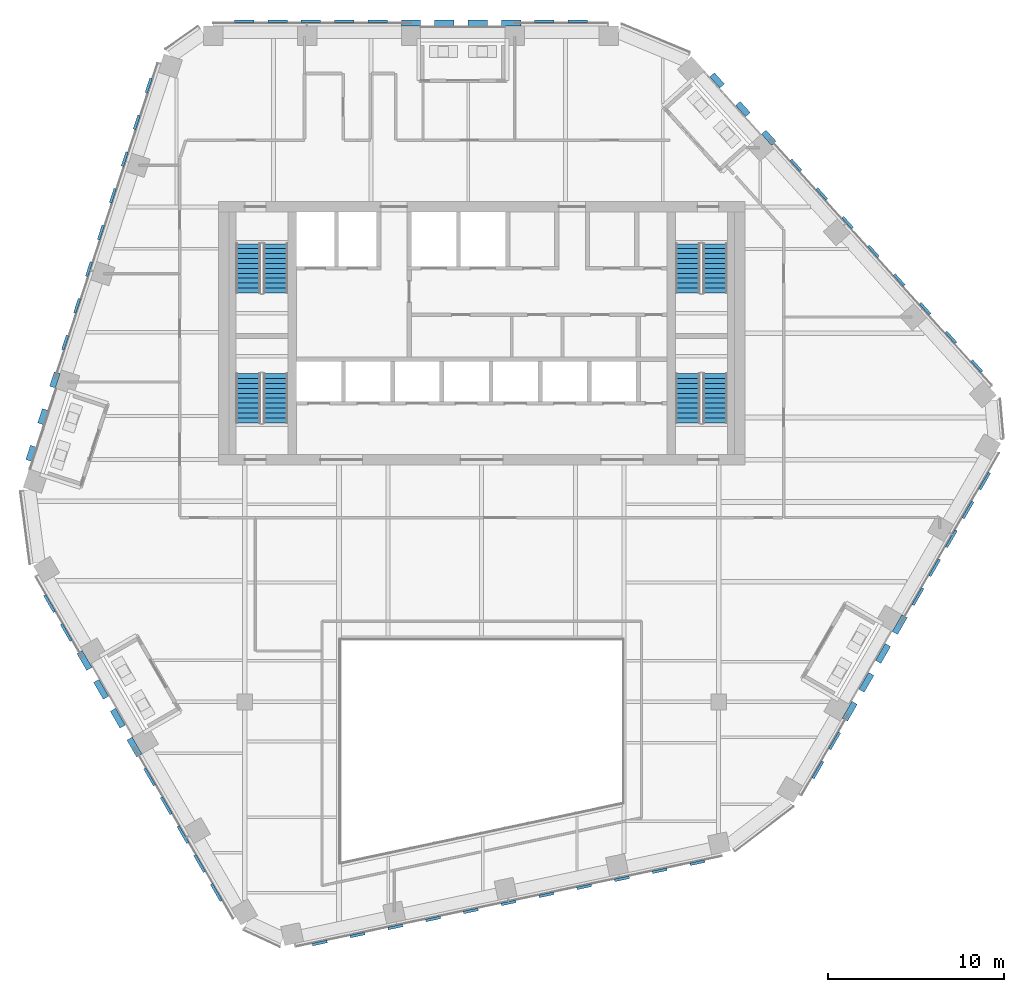
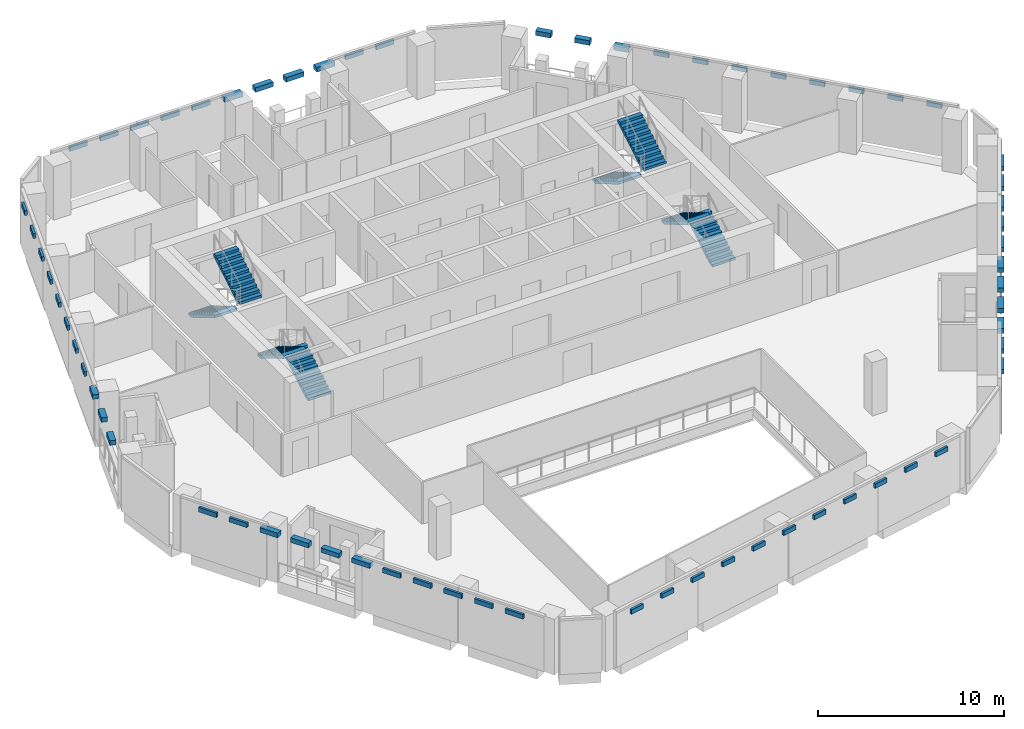
# One storey, part 18 of 24: 66 discrete accessories, 8 stair flights, 4 elements without a shape of their own.
"""IFC4 building model written with IfcOpenShell, lengths in metres."""

from ifc_helpers import new_model, si_unit, direction, frame, origin, origin_2d, place, context, subcontext, project, spatial, polyline, rectangle, outline, extrude, material, type_object, element, aggregate, save


model = new_model("IFC4")

# Units and contexts
model_context = context("Model", 3, precision=1e-05, world=origin(), true_north=direction((0.0, 1.0)))
body_context = subcontext(model_context, "Body", "Model", "MODEL_VIEW")
ifc_project = project(units=[si_unit("LENGTHUNIT", "METRE"), si_unit("AREAUNIT", "SQUARE_METRE"), si_unit("VOLUMEUNIT", "CUBIC_METRE"), si_unit("PLANEANGLEUNIT", "RADIAN"), si_unit("MASSUNIT", "GRAM", prefix="KILO")], contexts=[model_context])

# Site, building, storey
site_placement = place(None, origin())
site = spatial("IfcSite", under=ifc_project, at=site_placement, CompositionType="ELEMENT")
building_placement = place(site_placement, origin())
building = spatial("IfcBuilding", under=site, at=building_placement, Name="Isthmus Gate Tower", CompositionType="ELEMENT")
storey_placement = place(building_placement, frame((0.0, 0.0, 234.550048828125)))
storey = spatial("IfcBuildingStorey", under=building, at=storey_placement, Name="L59", CompositionType="ELEMENT", Elevation=234.550048828125)

# Stair, stair flights
ifc_material_1 = material(Name="Concrete f'c 40 MPa", Category="concrete")
stair_type = type_object("IfcStairType", Name="CORE STAIR 22 RISERS", PredefinedType="HALF_TURN_STAIR", material=ifc_material_1)
stair_1_placement = place(storey_placement, origin())
stair_1 = element("IfcStair", 1, at=stair_1_placement, inside=storey, type_object=stair_type, Name="L59 Exit Stair 1", PredefinedType="HALF_TURN_STAIR")
ifc_material_2 = material(Name="Concrete f'c 40 MPa", Category="concrete")
stair_flight_type = type_object("IfcStairFlightType", Name="STAIR FLIGHT RC 1400", PredefinedType="STRAIGHT", material=ifc_material_2)
stair_flight_1_placement = place(storey_placement, frame((-13.300048828125, 12.60009765625, 0.0), z_axis=(0.0, 0.0, 1.0), x_axis=(0.0, -1.0, 0.0)))
stair_flight_1 = element("IfcStairFlight", 2, at=stair_flight_1_placement, type_object=stair_flight_type, Name="ST1 flight 1", NumberOfRisers=11, NumberOfTreads=10, PredefinedType="STRAIGHT", RiserHeight=0.165909091, TreadLength=0.28, context=body_context, shape_type="SweptSolid", body=[
    extrude(outline(polyline([(0.0, 0.0), (0.0, 0.166015625), (0.280029296875, 0.166015625), (0.280029296875, 0.331787109375), (0.56005859375, 0.331787109375), (0.56005859375, 0.497802734375), (0.840087890625, 0.497802734375), (0.840087890625, 0.66357421875), (1.1201171875, 0.66357421875), (1.1201171875, 0.82958984375), (1.39990234375, 0.82958984375), (1.39990234375, 0.995361328125), (1.679931640625, 0.995361328125), (1.679931640625, 1.161376953125), (1.9599609375, 1.161376953125), (1.9599609375, 1.327392578125), (2.239990234375, 1.327392578125), (2.239990234375, 1.4931640625), (2.52001953125, 1.4931640625), (2.52001953125, 1.6591796875), (2.800048828125, 1.6591796875), (2.800048828125, 1.824951171875), (2.800048828125, 1.48486328125), (0.2939453125, 0.0), (0.0, 0.0)])), frame((0.0, 0.699951171875, 0.0), z_axis=(0.0, -1.0, 0.0), x_axis=(1.0, 0.0, 0.0)), (0.0, 0.0, 1.0), 1.39990234375),
])
stair_flight_2_placement = place(storey_placement, frame((-11.75, 9.800048828125, 1.824951171875), z_axis=(0.0, 0.0, 1.0), x_axis=(0.0, 1.0, 0.0)))
stair_flight_2 = element("IfcStairFlight", 3, at=stair_flight_2_placement, type_object=stair_flight_type, Name="ST1 flight 2", NumberOfRisers=11, NumberOfTreads=10, PredefinedType="STRAIGHT", RiserHeight=0.165909091, TreadLength=0.28, context=body_context, shape_type="SweptSolid", body=[
    extrude(outline(polyline([(0.0, 0.0), (0.0, 0.166015625), (0.280029296875, 0.166015625), (0.280029296875, 0.331787109375), (0.56005859375, 0.331787109375), (0.56005859375, 0.497802734375), (0.840087890625, 0.497802734375), (0.840087890625, 0.66357421875), (1.1201171875, 0.66357421875), (1.1201171875, 0.82958984375), (1.39990234375, 0.82958984375), (1.39990234375, 0.995361328125), (1.679931640625, 0.995361328125), (1.679931640625, 1.161376953125), (1.9599609375, 1.161376953125), (1.9599609375, 1.327392578125), (2.239990234375, 1.327392578125), (2.239990234375, 1.4931640625), (2.52001953125, 1.4931640625), (2.52001953125, 1.6591796875), (2.800048828125, 1.6591796875), (2.800048828125, 1.824951171875), (2.800048828125, 1.48486328125), (0.2939453125, 0.0), (0.0, 0.0)])), frame((0.0, 0.699951171875, 0.0), z_axis=(0.0, -1.0, 0.0), x_axis=(1.0, 0.0, 0.0)), (0.0, 0.0, 1.0), 1.39990234375),
])
aggregate(stair_1, [stair_flight_1, stair_flight_2])

stair_2_placement = place(storey_placement, origin())
stair_2 = element("IfcStair", 4, at=stair_2_placement, inside=storey, type_object=stair_type, Name="L59 Exit Stair 2", PredefinedType="HALF_TURN_STAIR")
stair_flight_3_placement = place(storey_placement, frame((11.75, 12.60009765625, 0.0), z_axis=(0.0, 0.0, 1.0), x_axis=(0.0, -1.0, 0.0)))
stair_flight_3 = element("IfcStairFlight", 5, at=stair_flight_3_placement, type_object=stair_flight_type, Name="ST2 flight 1", NumberOfRisers=11, NumberOfTreads=10, PredefinedType="STRAIGHT", RiserHeight=0.165909091, TreadLength=0.28, context=body_context, shape_type="SweptSolid", body=[
    extrude(outline(polyline([(0.0, 0.0), (0.0, 0.166015625), (0.280029296875, 0.166015625), (0.280029296875, 0.331787109375), (0.56005859375, 0.331787109375), (0.56005859375, 0.497802734375), (0.840087890625, 0.497802734375), (0.840087890625, 0.66357421875), (1.1201171875, 0.66357421875), (1.1201171875, 0.82958984375), (1.39990234375, 0.82958984375), (1.39990234375, 0.995361328125), (1.679931640625, 0.995361328125), (1.679931640625, 1.161376953125), (1.9599609375, 1.161376953125), (1.9599609375, 1.327392578125), (2.239990234375, 1.327392578125), (2.239990234375, 1.4931640625), (2.52001953125, 1.4931640625), (2.52001953125, 1.6591796875), (2.800048828125, 1.6591796875), (2.800048828125, 1.824951171875), (2.800048828125, 1.48486328125), (0.2939453125, 0.0), (0.0, 0.0)])), frame((0.0, 0.699951171875, 0.0), z_axis=(0.0, -1.0, 0.0), x_axis=(1.0, 0.0, 0.0)), (0.0, 0.0, 1.0), 1.39990234375),
])
stair_flight_4_placement = place(storey_placement, frame((13.300048828125, 9.800048828125, 1.824951171875), z_axis=(0.0, 0.0, 1.0), x_axis=(0.0, 1.0, 0.0)))
stair_flight_4 = element("IfcStairFlight", 6, at=stair_flight_4_placement, type_object=stair_flight_type, Name="ST2 flight 2", NumberOfRisers=11, NumberOfTreads=10, PredefinedType="STRAIGHT", RiserHeight=0.165909091, TreadLength=0.28, context=body_context, shape_type="SweptSolid", body=[
    extrude(outline(polyline([(0.0, 0.0), (0.0, 0.166015625), (0.280029296875, 0.166015625), (0.280029296875, 0.331787109375), (0.56005859375, 0.331787109375), (0.56005859375, 0.497802734375), (0.840087890625, 0.497802734375), (0.840087890625, 0.66357421875), (1.1201171875, 0.66357421875), (1.1201171875, 0.82958984375), (1.39990234375, 0.82958984375), (1.39990234375, 0.995361328125), (1.679931640625, 0.995361328125), (1.679931640625, 1.161376953125), (1.9599609375, 1.161376953125), (1.9599609375, 1.327392578125), (2.239990234375, 1.327392578125), (2.239990234375, 1.4931640625), (2.52001953125, 1.4931640625), (2.52001953125, 1.6591796875), (2.800048828125, 1.6591796875), (2.800048828125, 1.824951171875), (2.800048828125, 1.48486328125), (0.2939453125, 0.0), (0.0, 0.0)])), frame((0.0, 0.699951171875, 0.0), z_axis=(0.0, -1.0, 0.0), x_axis=(1.0, 0.0, 0.0)), (0.0, 0.0, 1.0), 1.39990234375),
])
aggregate(stair_2, [stair_flight_3, stair_flight_4])

stair_3_placement = place(storey_placement, origin())
stair_3 = element("IfcStair", 7, at=stair_3_placement, inside=storey, type_object=stair_type, Name="L59 Exit Stair 7", PredefinedType="HALF_TURN_STAIR")
stair_flight_5_placement = place(storey_placement, frame((-11.75, 2.39990234375, 0.0), z_axis=(0.0, 0.0, 1.0), x_axis=(0.0, 1.0, 0.0)))
stair_flight_5 = element("IfcStairFlight", 8, at=stair_flight_5_placement, type_object=stair_flight_type, Name="ST7 flight 1", NumberOfRisers=11, NumberOfTreads=10, PredefinedType="STRAIGHT", RiserHeight=0.165909091, TreadLength=0.28, context=body_context, shape_type="SweptSolid", body=[
    extrude(outline(polyline([(0.0, 0.0), (0.0, 0.166015625), (0.280029296875, 0.166015625), (0.280029296875, 0.331787109375), (0.56005859375, 0.331787109375), (0.56005859375, 0.497802734375), (0.840087890625, 0.497802734375), (0.840087890625, 0.66357421875), (1.1201171875, 0.66357421875), (1.1201171875, 0.82958984375), (1.39990234375, 0.82958984375), (1.39990234375, 0.995361328125), (1.679931640625, 0.995361328125), (1.679931640625, 1.161376953125), (1.9599609375, 1.161376953125), (1.9599609375, 1.327392578125), (2.239990234375, 1.327392578125), (2.239990234375, 1.4931640625), (2.52001953125, 1.4931640625), (2.52001953125, 1.6591796875), (2.800048828125, 1.6591796875), (2.800048828125, 1.824951171875), (2.800048828125, 1.48486328125), (0.2939453125, 0.0), (0.0, 0.0)])), frame((0.0, 0.699951171875, 0.0), z_axis=(0.0, -1.0, 0.0), x_axis=(1.0, 0.0, 0.0)), (0.0, 0.0, 1.0), 1.39990234375),
])
stair_flight_6_placement = place(storey_placement, frame((-13.300048828125, 5.199951171875, 1.824951171875), z_axis=(0.0, 0.0, 1.0), x_axis=(0.0, -1.0, 0.0)))
stair_flight_6 = element("IfcStairFlight", 9, at=stair_flight_6_placement, type_object=stair_flight_type, Name="ST7 flight 2", NumberOfRisers=11, NumberOfTreads=10, PredefinedType="STRAIGHT", RiserHeight=0.165909091, TreadLength=0.28, context=body_context, shape_type="SweptSolid", body=[
    extrude(outline(polyline([(0.0, 0.0), (0.0, 0.166015625), (0.280029296875, 0.166015625), (0.280029296875, 0.331787109375), (0.56005859375, 0.331787109375), (0.56005859375, 0.497802734375), (0.840087890625, 0.497802734375), (0.840087890625, 0.66357421875), (1.1201171875, 0.66357421875), (1.1201171875, 0.82958984375), (1.39990234375, 0.82958984375), (1.39990234375, 0.995361328125), (1.679931640625, 0.995361328125), (1.679931640625, 1.161376953125), (1.9599609375, 1.161376953125), (1.9599609375, 1.327392578125), (2.239990234375, 1.327392578125), (2.239990234375, 1.4931640625), (2.52001953125, 1.4931640625), (2.52001953125, 1.6591796875), (2.800048828125, 1.6591796875), (2.800048828125, 1.824951171875), (2.800048828125, 1.48486328125), (0.2939453125, 0.0), (0.0, 0.0)])), frame((0.0, 0.699951171875, 0.0), z_axis=(0.0, -1.0, 0.0), x_axis=(1.0, 0.0, 0.0)), (0.0, 0.0, 1.0), 1.39990234375),
])
aggregate(stair_3, [stair_flight_5, stair_flight_6])

stair_4_placement = place(storey_placement, origin())
stair_4 = element("IfcStair", 10, at=stair_4_placement, inside=storey, type_object=stair_type, Name="L59 Exit Stair 8", PredefinedType="HALF_TURN_STAIR")
stair_flight_7_placement = place(storey_placement, frame((13.300048828125, 2.39990234375, 0.0), z_axis=(0.0, 0.0, 1.0), x_axis=(0.0, 1.0, 0.0)))
stair_flight_7 = element("IfcStairFlight", 11, at=stair_flight_7_placement, type_object=stair_flight_type, Name="ST8 flight 1", NumberOfRisers=11, NumberOfTreads=10, PredefinedType="STRAIGHT", RiserHeight=0.165909091, TreadLength=0.28, context=body_context, shape_type="SweptSolid", body=[
    extrude(outline(polyline([(0.0, 0.0), (0.0, 0.166015625), (0.280029296875, 0.166015625), (0.280029296875, 0.331787109375), (0.56005859375, 0.331787109375), (0.56005859375, 0.497802734375), (0.840087890625, 0.497802734375), (0.840087890625, 0.66357421875), (1.1201171875, 0.66357421875), (1.1201171875, 0.82958984375), (1.39990234375, 0.82958984375), (1.39990234375, 0.995361328125), (1.679931640625, 0.995361328125), (1.679931640625, 1.161376953125), (1.9599609375, 1.161376953125), (1.9599609375, 1.327392578125), (2.239990234375, 1.327392578125), (2.239990234375, 1.4931640625), (2.52001953125, 1.4931640625), (2.52001953125, 1.6591796875), (2.800048828125, 1.6591796875), (2.800048828125, 1.824951171875), (2.800048828125, 1.48486328125), (0.2939453125, 0.0), (0.0, 0.0)])), frame((0.0, 0.699951171875, 0.0), z_axis=(0.0, -1.0, 0.0), x_axis=(1.0, 0.0, 0.0)), (0.0, 0.0, 1.0), 1.39990234375),
])
stair_flight_8_placement = place(storey_placement, frame((11.75, 5.199951171875, 1.824951171875), z_axis=(0.0, 0.0, 1.0), x_axis=(0.0, -1.0, 0.0)))
stair_flight_8 = element("IfcStairFlight", 12, at=stair_flight_8_placement, type_object=stair_flight_type, Name="ST8 flight 2", NumberOfRisers=11, NumberOfTreads=10, PredefinedType="STRAIGHT", RiserHeight=0.165909091, TreadLength=0.28, context=body_context, shape_type="SweptSolid", body=[
    extrude(outline(polyline([(0.0, 0.0), (0.0, 0.166015625), (0.280029296875, 0.166015625), (0.280029296875, 0.331787109375), (0.56005859375, 0.331787109375), (0.56005859375, 0.497802734375), (0.840087890625, 0.497802734375), (0.840087890625, 0.66357421875), (1.1201171875, 0.66357421875), (1.1201171875, 0.82958984375), (1.39990234375, 0.82958984375), (1.39990234375, 0.995361328125), (1.679931640625, 0.995361328125), (1.679931640625, 1.161376953125), (1.9599609375, 1.161376953125), (1.9599609375, 1.327392578125), (2.239990234375, 1.327392578125), (2.239990234375, 1.4931640625), (2.52001953125, 1.4931640625), (2.52001953125, 1.6591796875), (2.800048828125, 1.6591796875), (2.800048828125, 1.824951171875), (2.800048828125, 1.48486328125), (0.2939453125, 0.0), (0.0, 0.0)])), frame((0.0, 0.699951171875, 0.0), z_axis=(0.0, -1.0, 0.0), x_axis=(1.0, 0.0, 0.0)), (0.0, 0.0, 1.0), 1.39990234375),
])
aggregate(stair_4, [stair_flight_7, stair_flight_8])

# Discrete accessories
ifc_material_3 = material(Name="Structural steel ASTM A572 Gr 50, white paint system", Category="steel")
discrete_accessory_type_1 = type_object("IfcDiscreteAccessoryType", Name="FIN BRACKET 1109 X 150 X 300", PredefinedType="BRACKET", material=ifc_material_3)
for number, where, z_axis, x_axis, name in (
    (13, (5.469970703125, 25.27490234375, 3.10009765625), (0.0, 0.0, 1.0), (0.0, 1.0, 0.0), "FIN BRACKET"),
    (14, (3.56982421875, 25.27490234375, 3.10009765625), (0.0, 0.0, 1.0), (0.0, 1.0, 0.0), "FIN BRACKET"),
    (15, (-5.93017578125, 25.27490234375, 3.10009765625), (0.0, 0.0, 1.0), (0.0, 1.0, 0.0), "FIN BRACKET"),
    (16, (-7.830078125, 25.27490234375, 3.10009765625), (0.0, 0.0, 1.0), (0.0, 1.0, 0.0), "FIN BRACKET"),
    (17, (-9.72998046875, 25.27490234375, 3.10009765625), (0.0, 0.0, 1.0), (0.0, 1.0, 0.0), "FIN BRACKET"),
    (18, (-11.630126953125, 25.27490234375, 3.10009765625), (0.0, 0.0, 1.0), (0.0, 1.0, 0.0), "FIN BRACKET"),
    (19, (-13.530029296875, 25.27490234375, 3.10009765625), (0.0, 0.0, 1.0), (0.0, 1.0, 0.0), "FIN BRACKET"),
    (20, (-24.623779296875, -7.900390625, 3.10009765625), (0.0, 0.0, 1.0), (-0.866025403784, -0.5, 0.0), "FIN BRACKET"),
    (21, (-23.673828125, -9.5458984375, 3.10009765625), (0.0, 0.0, 1.0), (-0.866025403784, -0.5, 0.0), "FIN BRACKET"),
    (22, (-18.923828125, -17.773193359375, 3.10009765625), (0.0, 0.0, 1.0), (-0.866025403784, -0.5, 0.0), "FIN BRACKET"),
    (23, (-17.9736328125, -19.41845703125, 3.10009765625), (0.0, 0.0, 1.0), (-0.866025403784, -0.5, 0.0), "FIN BRACKET"),
    (24, (-17.023681640625, -21.06396484375, 3.10009765625), (0.0, 0.0, 1.0), (-0.866025403784, -0.5, 0.0), "FIN BRACKET"),
    (25, (-16.07373046875, -22.70947265625, 3.10009765625), (0.0, 0.0, 1.0), (-0.866025403784, -0.5, 0.0), "FIN BRACKET"),
    (26, (-15.123779296875, -24.35498046875, 3.10009765625), (0.0, 0.0, 1.0), (-0.866025403784, -0.5, 0.0), "FIN BRACKET"),
    (27, (19.15380859375, -17.37451171875, 3.10009765625), (0.0, 0.0, 1.0), (0.866025403784, -0.5, 0.0), "FIN BRACKET"),
    (28, (20.103759765625, -15.729248046875, 3.10009765625), (0.0, 0.0, 1.0), (0.866025403784, -0.5, 0.0), "FIN BRACKET"),
    (29, (24.853759765625, -7.501953125, 3.10009765625), (0.0, 0.0, 1.0), (0.866025403784, -0.5, 0.0), "FIN BRACKET"),
    (30, (25.803955078125, -5.8564453125, 3.10009765625), (0.0, 0.0, 1.0), (0.866025403784, -0.5, 0.0), "FIN BRACKET"),
    (31, (26.75390625, -4.2109375, 3.10009765625), (0.0, 0.0, 1.0), (0.866025403784, -0.5, 0.0), "FIN BRACKET"),
    (32, (27.703857421875, -2.5654296875, 3.10009765625), (0.0, 0.0, 1.0), (0.866025403784, -0.5, 0.0), "FIN BRACKET"),
    (33, (28.65380859375, -0.920166015625, 3.10009765625), (0.0, 0.0, 1.0), (0.866025403784, -0.5, 0.0), "FIN BRACKET"),
):
    element("IfcDiscreteAccessory", number, at=place(storey_placement, frame(where, z_axis=z_axis, x_axis=x_axis)), inside=storey, type_object=discrete_accessory_type_1, Name=name, PredefinedType="BRACKET", context=body_context, shape_type="SweptSolid", body=[
        extrude(rectangle(XDim=0.14990234375, YDim=1.1083984375, at=origin_2d()), origin(), (0.0, 0.0, 1.0), 0.300048828125),
    ])
ifc_material_4 = material(Name="Structural steel ASTM A572 Gr 50, white paint system", Category="steel")
discrete_accessory_type_2 = type_object("IfcDiscreteAccessoryType", Name="FIN BRACKET 1109 X 350 X 300", PredefinedType="BRACKET", material=ifc_material_4)
for number, where, z_axis, x_axis, name in (
    (34, (1.669921875, 25.175048828125, 3.10009765625), (0.0, 0.0, 1.0), (0.0, 1.0, 0.0), "FIN BRACKET"),
    (35, (-0.22998046875, 25.175048828125, 3.10009765625), (0.0, 0.0, 1.0), (0.0, 1.0, 0.0), "FIN BRACKET"),
    (36, (-2.130126953125, 25.175048828125, 3.10009765625), (0.0, 0.0, 1.0), (0.0, 1.0, 0.0), "FIN BRACKET"),
    (37, (-4.030029296875, 25.175048828125, 3.10009765625), (0.0, 0.0, 1.0), (0.0, 1.0, 0.0), "FIN BRACKET"),
    (38, (-22.63720703125, -11.141357421875, 3.10009765625), (0.0, 0.0, 1.0), (-0.866025403784, -0.5, 0.0), "FIN BRACKET"),
    (39, (-21.687255859375, -12.786865234375, 3.10009765625), (0.0, 0.0, 1.0), (-0.866025403784, -0.5, 0.0), "FIN BRACKET"),
    (40, (-20.737060546875, -14.43212890625, 3.10009765625), (0.0, 0.0, 1.0), (-0.866025403784, -0.5, 0.0), "FIN BRACKET"),
    (41, (-19.787109375, -16.07763671875, 3.10009765625), (0.0, 0.0, 1.0), (-0.866025403784, -0.5, 0.0), "FIN BRACKET"),
    (42, (20.96728515625, -14.03369140625, 3.10009765625), (0.0, 0.0, 1.0), (0.866025403784, -0.5, 0.0), "FIN BRACKET"),
    (43, (21.917236328125, -12.38818359375, 3.10009765625), (0.0, 0.0, 1.0), (0.866025403784, -0.5, 0.0), "FIN BRACKET"),
    (44, (22.8671875, -10.74267578125, 3.10009765625), (0.0, 0.0, 1.0), (0.866025403784, -0.5, 0.0), "FIN BRACKET"),
    (45, (23.817138671875, -9.097412109375, 3.10009765625), (0.0, 0.0, 1.0), (0.866025403784, -0.5, 0.0), "FIN BRACKET"),
):
    element("IfcDiscreteAccessory", number, at=place(storey_placement, frame(where, z_axis=z_axis, x_axis=x_axis)), inside=storey, type_object=discrete_accessory_type_2, Name=name, PredefinedType="BRACKET", context=body_context, shape_type="SweptSolid", body=[
        extrude(rectangle(XDim=0.35009765625, YDim=1.1083984375, at=origin_2d()), origin(), (0.0, 0.0, 1.0), 0.300048828125),
    ])
ifc_material_5 = material(Name="Structural steel ASTM A572 Gr 50, white paint system", Category="steel")
discrete_accessory_type_3 = type_object("IfcDiscreteAccessoryType", Name="FIN BRACKET 855 X 150 X 300", PredefinedType="BRACKET", material=ifc_material_5)
for number, where, z_axis, x_axis, name in (
    (46, (-18.978759765625, 21.61328125, 3.10009765625), (0.0, 0.0, 1.0), (-0.951056516295, 0.309016994375, 0.0), "FIN BRACKET"),
    (47, (-19.658447265625, 19.52099609375, 3.10009765625), (0.0, 0.0, 1.0), (-0.951056516295, 0.309016994375, 0.0), "FIN BRACKET"),
    (48, (-20.33837890625, 17.4287109375, 3.10009765625), (0.0, 0.0, 1.0), (-0.951056516295, 0.309016994375, 0.0), "FIN BRACKET"),
    (49, (-21.018310546875, 15.336181640625, 3.10009765625), (0.0, 0.0, 1.0), (-0.951056516295, 0.309016994375, 0.0), "FIN BRACKET"),
    (50, (-21.697998046875, 13.243896484375, 3.10009765625), (0.0, 0.0, 1.0), (-0.951056516295, 0.309016994375, 0.0), "FIN BRACKET"),
    (51, (-22.3779296875, 11.151611328125, 3.10009765625), (0.0, 0.0, 1.0), (-0.951056516295, 0.309016994375, 0.0), "FIN BRACKET"),
    (52, (-23.0576171875, 9.059326171875, 3.10009765625), (0.0, 0.0, 1.0), (-0.951056516295, 0.309016994375, 0.0), "FIN BRACKET"),
    (53, (-23.737548828125, 6.967041015625, 3.10009765625), (0.0, 0.0, 1.0), (-0.951056516295, 0.309016994375, 0.0), "FIN BRACKET"),
    (54, (-9.228271484375, -27.24267578125, 3.10009765625), (0.0, 0.0, 1.0), (0.207911690818, -0.978147600734, 0.0), "FIN BRACKET"),
    (55, (-7.076416015625, -26.78515625, 3.10009765625), (0.0, 0.0, 1.0), (0.207911690818, -0.978147600734, 0.0), "FIN BRACKET"),
    (56, (-4.92431640625, -26.327880859375, 3.10009765625), (0.0, 0.0, 1.0), (0.207911690818, -0.978147600734, 0.0), "FIN BRACKET"),
    (57, (-2.7724609375, -25.870361328125, 3.10009765625), (0.0, 0.0, 1.0), (0.207911690818, -0.978147600734, 0.0), "FIN BRACKET"),
    (58, (-0.62060546875, -25.4130859375, 3.10009765625), (0.0, 0.0, 1.0), (0.207911690818, -0.978147600734, 0.0), "FIN BRACKET"),
    (59, (1.53125, -24.95556640625, 3.10009765625), (0.0, 0.0, 1.0), (0.207911690818, -0.978147600734, 0.0), "FIN BRACKET"),
    (60, (3.683349609375, -24.498291015625, 3.10009765625), (0.0, 0.0, 1.0), (0.207911690818, -0.978147600734, 0.0), "FIN BRACKET"),
    (61, (5.835205078125, -24.040771484375, 3.10009765625), (0.0, 0.0, 1.0), (0.207911690818, -0.978147600734, 0.0), "FIN BRACKET"),
    (62, (7.987060546875, -23.58349609375, 3.10009765625), (0.0, 0.0, 1.0), (0.207911690818, -0.978147600734, 0.0), "FIN BRACKET"),
    (63, (10.13916015625, -23.1259765625, 3.10009765625), (0.0, 0.0, 1.0), (0.207911690818, -0.978147600734, 0.0), "FIN BRACKET"),
    (64, (12.291015625, -22.668701171875, 3.10009765625), (0.0, 0.0, 1.0), (0.207911690818, -0.978147600734, 0.0), "FIN BRACKET"),
    (65, (28.20703125, 5.62939453125, 3.10009765625), (0.0, 0.0, 1.0), (0.743144825477, 0.669130606359, 0.0), "FIN BRACKET"),
    (66, (26.73486328125, 7.264404296875, 3.10009765625), (0.0, 0.0, 1.0), (0.743144825477, 0.669130606359, 0.0), "FIN BRACKET"),
    (67, (25.2626953125, 8.899169921875, 3.10009765625), (0.0, 0.0, 1.0), (0.743144825477, 0.669130606359, 0.0), "FIN BRACKET"),
    (68, (23.790771484375, 10.5341796875, 3.10009765625), (0.0, 0.0, 1.0), (0.743144825477, 0.669130606359, 0.0), "FIN BRACKET"),
    (69, (22.318603515625, 12.169189453125, 3.10009765625), (0.0, 0.0, 1.0), (0.743144825477, 0.669130606359, 0.0), "FIN BRACKET"),
    (70, (20.846435546875, 13.803955078125, 3.10009765625), (0.0, 0.0, 1.0), (0.743144825477, 0.669130606359, 0.0), "FIN BRACKET"),
    (71, (19.37451171875, 15.43896484375, 3.10009765625), (0.0, 0.0, 1.0), (0.743144825477, 0.669130606359, 0.0), "FIN BRACKET"),
    (72, (17.90234375, 17.07373046875, 3.10009765625), (0.0, 0.0, 1.0), (0.743144825477, 0.669130606359, 0.0), "FIN BRACKET"),
):
    element("IfcDiscreteAccessory", number, at=place(storey_placement, frame(where, z_axis=z_axis, x_axis=x_axis)), inside=storey, type_object=discrete_accessory_type_3, Name=name, PredefinedType="BRACKET", context=body_context, shape_type="SweptSolid", body=[
        extrude(rectangle(XDim=0.14990234375, YDim=0.854736328125, at=origin_2d()), origin(), (0.0, 0.0, 1.0), 0.300048828125),
    ])
ifc_material_6 = material(Name="Structural steel ASTM A572 Gr 50, white paint system", Category="steel")
discrete_accessory_type_4 = type_object("IfcDiscreteAccessoryType", Name="FIN BRACKET 855 X 350 X 300", PredefinedType="BRACKET", material=ifc_material_6)
for number, where, z_axis, x_axis, name in (
    (73, (-24.322265625, 4.84375, 3.10009765625), (0.0, 0.0, 1.0), (-0.951056516295, 0.309016994375, 0.0), "FIN BRACKET"),
    (74, (-25.002197265625, 2.75146484375, 3.10009765625), (0.0, 0.0, 1.0), (-0.951056516295, 0.309016994375, 0.0), "FIN BRACKET"),
    (75, (-25.681884765625, 0.6591796875, 3.10009765625), (0.0, 0.0, 1.0), (-0.951056516295, 0.309016994375, 0.0), "FIN BRACKET"),
    (76, (16.35595703125, 18.641845703125, 3.10009765625), (0.0, 0.0, 1.0), (0.743144825477, 0.669130606359, 0.0), "FIN BRACKET"),
    (77, (14.8837890625, 20.27685546875, 3.10009765625), (0.0, 0.0, 1.0), (0.743144825477, 0.669130606359, 0.0), "FIN BRACKET"),
    (78, (13.411865234375, 21.91162109375, 3.10009765625), (0.0, 0.0, 1.0), (0.743144825477, 0.669130606359, 0.0), "FIN BRACKET"),
):
    element("IfcDiscreteAccessory", number, at=place(storey_placement, frame(where, z_axis=z_axis, x_axis=x_axis)), inside=storey, type_object=discrete_accessory_type_4, Name=name, PredefinedType="BRACKET", context=body_context, shape_type="SweptSolid", body=[
        extrude(rectangle(XDim=0.35009765625, YDim=0.854736328125, at=origin_2d()), origin(), (0.0, 0.0, 1.0), 0.300048828125),
    ])

save(model, "model.ifc")
